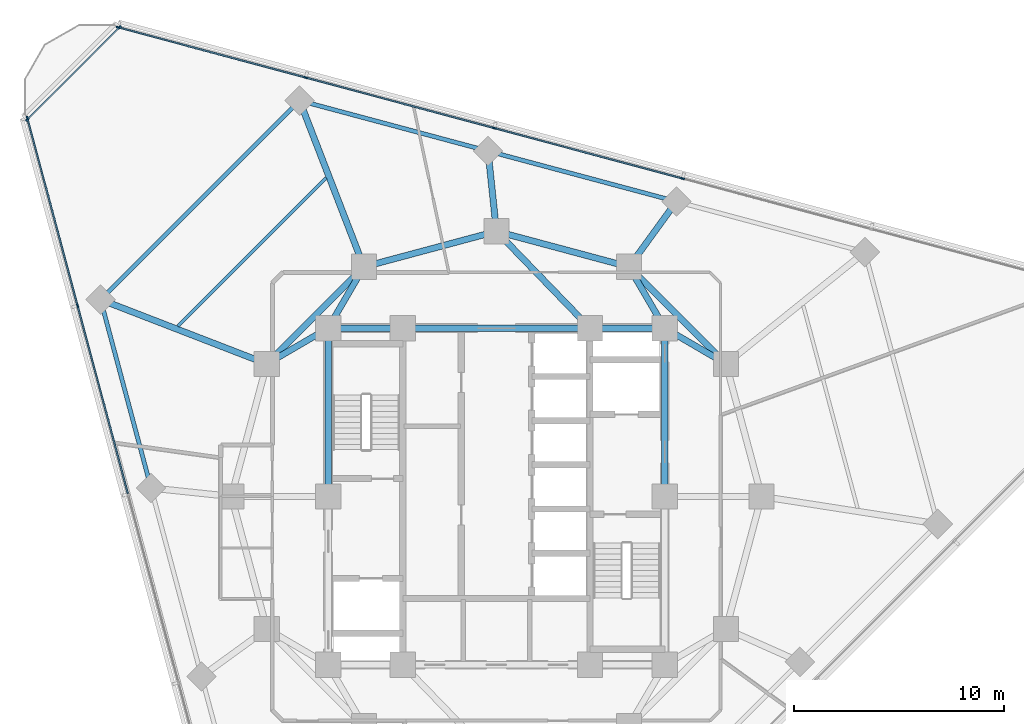
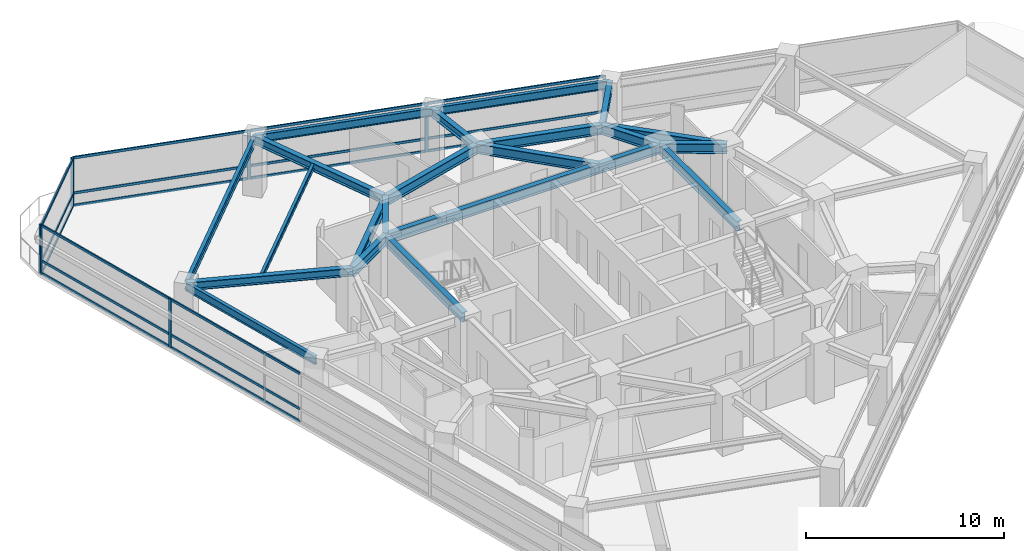
# One storey, part 4 of 13: 26 members, 23 beams, 3 elements without a shape of their own.
"""IFC4 building model written with IfcOpenShell, lengths in metres."""

from ifc_helpers import new_model, si_unit, direction, frame, origin, origin_2d, place, context, subcontext, project, spatial, rectangle, i_section, extrude, material, layer, layer_set, material_profile, profile_set, type_object, element, aggregate, save


model = new_model("IFC4")

# Units and contexts
model_context = context("Model", 3, precision=1e-05, world=origin(), true_north=direction((0.0, 1.0)))
body_context = subcontext(model_context, "Body", "Model", "MODEL_VIEW")
ifc_project = project(units=[si_unit("LENGTHUNIT", "METRE"), si_unit("AREAUNIT", "SQUARE_METRE"), si_unit("VOLUMEUNIT", "CUBIC_METRE"), si_unit("PLANEANGLEUNIT", "RADIAN"), si_unit("MASSUNIT", "GRAM", prefix="KILO")], contexts=[model_context])

# Site, building, storey
site_placement = place(None, origin())
site = spatial("IfcSite", under=ifc_project, at=site_placement, CompositionType="ELEMENT")
building_placement = place(site_placement, origin())
building = spatial("IfcBuilding", under=site, at=building_placement, Name="Terralouvre Media Tower", CompositionType="ELEMENT")
storey_placement = place(building_placement, frame((0.0, 0.0, 202.699951171875)))
storey = spatial("IfcBuildingStorey", under=building, at=storey_placement, Name="L52", CompositionType="ELEMENT", Elevation=202.699951171875)

# Beam
ifc_material_1 = material(Name="Structural steel S355J2", Category="steel")
ifc_material_profile_1 = material_profile(ifc_material_1, i_section(OverallWidth=0.159912109375, OverallDepth=0.330078125, WebThickness=0.007568359375, FlangeThickness=0.011474609375, at=origin_2d()), Name="IPE 330")
ifc_profile_set_1 = profile_set([ifc_material_profile_1], Name="Structural steel S355J2")
beam_type_1 = type_object("IfcBeamType", Name="Composite Floor Joist J-IPE330 (IPE 330)", PredefinedType="JOIST", material=ifc_profile_set_1)
beam_1_placement = place(storey_placement, frame((-8.095947265625, 15.14453125, 3.3349609375), z_axis=(-0.707106781187, -0.707106781187, 0.0), x_axis=(0.707106781187, -0.707106781187, 0.0)))
element("IfcBeam", 1, at=beam_1_placement, inside=storey, type_object=beam_type_1, Name="L52 Framing Beam JT-L52-05", PredefinedType="JOIST", context=body_context, shape_type="SweptSolid", body=[
    extrude(i_section(OverallWidth=0.159912109375, OverallDepth=0.330078125, WebThickness=0.007568359375, FlangeThickness=0.011474609375, at=origin_2d()), origin(), (0.0, 0.0, 1.0), 9.96826171875),
])

# Curtain wall, members
ifc_material_2 = material(Name="Low-iron laminated double glazing with solar-control coating", Category="glass")
ifc_layer_1 = layer(ifc_material_2, 0.1650390625, Name="Production Studio Tower Curtain Wall CW-03")
ifc_layer_set_1 = layer_set([ifc_layer_1], Name="Low-iron laminated double glazing with solar-control coating")
curtain_wall_type_1 = type_object("IfcCurtainWallType", Name="Production Studio Tower Curtain Wall CW-03", PredefinedType="NOTDEFINED", material=ifc_layer_set_1)
curtain_wall_1_placement = place(storey_placement, origin())
curtain_wall_1 = element("IfcCurtainWall", 2, at=curtain_wall_1_placement, inside=storey, type_object=curtain_wall_type_1, Name="L52 Facade Curtain Wall F1", PredefinedType="NOTDEFINED")
ifc_material_3 = material(Name="Anodised extruded aluminium 6063-T6", Category="aluminium")
ifc_material_profile_2 = material_profile(ifc_material_3, rectangle(XDim=0.074951171875, YDim=0.14990234375, at=origin_2d()), Name="ALU 75x150")
ifc_profile_set_2 = profile_set([ifc_material_profile_2], Name="Anodised extruded aluminium 6063-T6")
member_type_1 = type_object("IfcMemberType", Name="Curtain-Wall Horizontal Transom TR-150", PredefinedType="USERDEFINED", material=ifc_profile_set_2)
member_1_placement = place(storey_placement, frame((8.8115234375, 15.117431640625, 0.03759765625), z_axis=(-0.965926723605, 0.25881569625, 0.0), x_axis=(-0.25881569625, -0.965926723605, 0.0)))
member_1 = element("IfcMember", 3, at=member_1_placement, type_object=member_type_1, Name="CW-03 transom 3.1", ObjectType="TRANSOM", PredefinedType="USERDEFINED", context=body_context, shape_type="SweptSolid", body=[
    extrude(rectangle(XDim=0.074951171875, YDim=0.14990234375, at=origin_2d()), origin(), (0.0, 0.0, 1.0), 9.197265625),
])
member_2_placement = place(storey_placement, frame((8.8115234375, 15.117431640625, 0.800048828125), z_axis=(-0.965926723605, 0.25881569625, 0.0), x_axis=(-0.25881569625, -0.965926723605, 0.0)))
member_2 = element("IfcMember", 4, at=member_2_placement, type_object=member_type_1, Name="CW-03 transom 3.2", ObjectType="TRANSOM", PredefinedType="USERDEFINED", context=body_context, shape_type="SweptSolid", body=[
    extrude(rectangle(XDim=0.074951171875, YDim=0.14990234375, at=origin_2d()), origin(), (0.0, 0.0, 1.0), 9.197265625),
])
member_3_placement = place(storey_placement, frame((8.8115234375, 15.117431640625, 2.962646484375), z_axis=(-0.965926723605, 0.25881569625, 0.0), x_axis=(-0.25881569625, -0.965926723605, 0.0)))
member_3 = element("IfcMember", 5, at=member_3_placement, type_object=member_type_1, Name="CW-03 transom 3.3", ObjectType="TRANSOM", PredefinedType="USERDEFINED", context=body_context, shape_type="SweptSolid", body=[
    extrude(rectangle(XDim=0.074951171875, YDim=0.14990234375, at=origin_2d()), origin(), (0.0, 0.0, 1.0), 9.197265625),
])
member_4_placement = place(storey_placement, frame((-0.14453125, 17.517333984375, 0.03759765625), z_axis=(-0.965926723605, 0.25881569625, 0.0), x_axis=(-0.25881569625, -0.965926723605, 0.0)))
member_4 = element("IfcMember", 6, at=member_4_placement, type_object=member_type_1, Name="CW-03 transom 4.1", ObjectType="TRANSOM", PredefinedType="USERDEFINED", context=body_context, shape_type="SweptSolid", body=[
    extrude(rectangle(XDim=0.074951171875, YDim=0.14990234375, at=origin_2d()), origin(), (0.0, 0.0, 1.0), 9.197265625),
])
member_5_placement = place(storey_placement, frame((-0.14453125, 17.517333984375, 0.800048828125), z_axis=(-0.965926723605, 0.25881569625, 0.0), x_axis=(-0.25881569625, -0.965926723605, 0.0)))
member_5 = element("IfcMember", 7, at=member_5_placement, type_object=member_type_1, Name="CW-03 transom 4.2", ObjectType="TRANSOM", PredefinedType="USERDEFINED", context=body_context, shape_type="SweptSolid", body=[
    extrude(rectangle(XDim=0.074951171875, YDim=0.14990234375, at=origin_2d()), origin(), (0.0, 0.0, 1.0), 9.197265625),
])
member_6_placement = place(storey_placement, frame((-0.14453125, 17.517333984375, 2.962646484375), z_axis=(-0.965926723605, 0.25881569625, 0.0), x_axis=(-0.25881569625, -0.965926723605, 0.0)))
member_6 = element("IfcMember", 8, at=member_6_placement, type_object=member_type_1, Name="CW-03 transom 4.3", ObjectType="TRANSOM", PredefinedType="USERDEFINED", context=body_context, shape_type="SweptSolid", body=[
    extrude(rectangle(XDim=0.074951171875, YDim=0.14990234375, at=origin_2d()), origin(), (0.0, 0.0, 1.0), 9.197265625),
])
member_7_placement = place(storey_placement, frame((-9.1005859375, 19.9169921875, 0.03759765625), z_axis=(-0.965927230856, 0.25881380313, 0.0), x_axis=(-0.25881380313, -0.965927230856, 0.0)))
member_7 = element("IfcMember", 9, at=member_7_placement, type_object=member_type_1, Name="CW-03 transom 5.1", ObjectType="TRANSOM", PredefinedType="USERDEFINED", context=body_context, shape_type="SweptSolid", body=[
    extrude(rectangle(XDim=0.074951171875, YDim=0.14990234375, at=origin_2d()), origin(), (0.0, 0.0, 1.0), 9.159423828125),
])
member_8_placement = place(storey_placement, frame((-9.1005859375, 19.9169921875, 0.800048828125), z_axis=(-0.965927230856, 0.25881380313, 0.0), x_axis=(-0.25881380313, -0.965927230856, 0.0)))
member_8 = element("IfcMember", 10, at=member_8_placement, type_object=member_type_1, Name="CW-03 transom 5.2", ObjectType="TRANSOM", PredefinedType="USERDEFINED", context=body_context, shape_type="SweptSolid", body=[
    extrude(rectangle(XDim=0.074951171875, YDim=0.14990234375, at=origin_2d()), origin(), (0.0, 0.0, 1.0), 9.159423828125),
])
member_9_placement = place(storey_placement, frame((-9.1005859375, 19.9169921875, 2.962646484375), z_axis=(-0.965927230856, 0.25881380313, 0.0), x_axis=(-0.25881380313, -0.965927230856, 0.0)))
member_9 = element("IfcMember", 11, at=member_9_placement, type_object=member_type_1, Name="CW-03 transom 5.3", ObjectType="TRANSOM", PredefinedType="USERDEFINED", context=body_context, shape_type="SweptSolid", body=[
    extrude(rectangle(XDim=0.074951171875, YDim=0.14990234375, at=origin_2d()), origin(), (0.0, 0.0, 1.0), 9.159423828125),
])

curtain_wall_2_placement = place(storey_placement, origin())
curtain_wall_2 = element("IfcCurtainWall", 12, at=curtain_wall_2_placement, inside=storey, type_object=curtain_wall_type_1, Name="L52 Facade Curtain Wall F2", PredefinedType="NOTDEFINED")
member_10_placement = place(storey_placement, frame((-22.28759765625, 17.947998046875, 0.03759765625), z_axis=(0.25881380313, -0.965927230856, 0.0), x_axis=(0.965927230856, 0.25881380313, 0.0)))
member_10 = element("IfcMember", 13, at=member_10_placement, type_object=member_type_1, Name="CW-03 transom 1.1", ObjectType="TRANSOM", PredefinedType="USERDEFINED", context=body_context, shape_type="SweptSolid", body=[
    extrude(rectangle(XDim=0.074951171875, YDim=0.14990234375, at=origin_2d()), origin(), (0.0, 0.0, 1.0), 9.159423828125),
])
member_11_placement = place(storey_placement, frame((-22.28759765625, 17.947998046875, 0.800048828125), z_axis=(0.25881380313, -0.965927230856, 0.0), x_axis=(0.965927230856, 0.25881380313, 0.0)))
member_11 = element("IfcMember", 14, at=member_11_placement, type_object=member_type_1, Name="CW-03 transom 1.2", ObjectType="TRANSOM", PredefinedType="USERDEFINED", context=body_context, shape_type="SweptSolid", body=[
    extrude(rectangle(XDim=0.074951171875, YDim=0.14990234375, at=origin_2d()), origin(), (0.0, 0.0, 1.0), 9.159423828125),
])
member_12_placement = place(storey_placement, frame((-22.28759765625, 17.947998046875, 2.962646484375), z_axis=(0.25881380313, -0.965927230856, 0.0), x_axis=(0.965927230856, 0.25881380313, 0.0)))
member_12 = element("IfcMember", 15, at=member_12_placement, type_object=member_type_1, Name="CW-03 transom 1.3", ObjectType="TRANSOM", PredefinedType="USERDEFINED", context=body_context, shape_type="SweptSolid", body=[
    extrude(rectangle(XDim=0.074951171875, YDim=0.14990234375, at=origin_2d()), origin(), (0.0, 0.0, 1.0), 9.159423828125),
])
member_13_placement = place(storey_placement, frame((-19.897705078125, 9.0283203125, 0.03759765625), z_axis=(0.25881569625, -0.965926723605, 0.0), x_axis=(0.965926723605, 0.25881569625, 0.0)))
member_13 = element("IfcMember", 16, at=member_13_placement, type_object=member_type_1, Name="CW-03 transom 2.1", ObjectType="TRANSOM", PredefinedType="USERDEFINED", context=body_context, shape_type="SweptSolid", body=[
    extrude(rectangle(XDim=0.074951171875, YDim=0.14990234375, at=origin_2d()), origin(), (0.0, 0.0, 1.0), 9.197265625),
])
member_14_placement = place(storey_placement, frame((-19.897705078125, 9.0283203125, 0.800048828125), z_axis=(0.25881569625, -0.965926723605, 0.0), x_axis=(0.965926723605, 0.25881569625, 0.0)))
member_14 = element("IfcMember", 17, at=member_14_placement, type_object=member_type_1, Name="CW-03 transom 2.2", ObjectType="TRANSOM", PredefinedType="USERDEFINED", context=body_context, shape_type="SweptSolid", body=[
    extrude(rectangle(XDim=0.074951171875, YDim=0.14990234375, at=origin_2d()), origin(), (0.0, 0.0, 1.0), 9.197265625),
])
member_15_placement = place(storey_placement, frame((-19.897705078125, 9.0283203125, 2.962646484375), z_axis=(0.25881569625, -0.965926723605, 0.0), x_axis=(0.965926723605, 0.25881569625, 0.0)))
member_15 = element("IfcMember", 18, at=member_15_placement, type_object=member_type_1, Name="CW-03 transom 2.3", ObjectType="TRANSOM", PredefinedType="USERDEFINED", context=body_context, shape_type="SweptSolid", body=[
    extrude(rectangle(XDim=0.074951171875, YDim=0.14990234375, at=origin_2d()), origin(), (0.0, 0.0, 1.0), 9.197265625),
])

ifc_material_4 = material(Name="Low-iron laminated double glazing with solar-control coating", Category="glass")
ifc_layer_2 = layer(ifc_material_4, 0.1650390625, Name="Rounded Wind-Corner Curved Glazing CW-04")
ifc_layer_set_2 = layer_set([ifc_layer_2], Name="Low-iron laminated double glazing with solar-control coating")
curtain_wall_type_2 = type_object("IfcCurtainWallType", Name="Rounded Wind-Corner Curved Glazing CW-04", PredefinedType="NOTDEFINED", material=ifc_layer_set_2)
curtain_wall_3_placement = place(storey_placement, origin())
curtain_wall_3 = element("IfcCurtainWall", 19, at=curtain_wall_3_placement, inside=storey, type_object=curtain_wall_type_2, Name="L52 Rounded Wind-Corner Curtain Wall C2", PredefinedType="NOTDEFINED")
member_16_placement = place(storey_placement, frame((-17.943603515625, 22.27099609375, 0.03759765625), z_axis=(-0.707106781187, -0.707106781187, 0.0), x_axis=(0.707106781187, -0.707106781187, 0.0)))
member_16 = element("IfcMember", 20, at=member_16_placement, type_object=member_type_1, Name="CW-04 transom 1.1", ObjectType="TRANSOM", PredefinedType="USERDEFINED", context=body_context, shape_type="SweptSolid", body=[
    extrude(rectangle(XDim=0.074951171875, YDim=0.14990234375, at=origin_2d()), origin(), (0.0, 0.0, 1.0), 6.119873046875),
])
member_17_placement = place(storey_placement, frame((-17.943603515625, 22.27099609375, 0.800048828125), z_axis=(-0.707106781187, -0.707106781187, 0.0), x_axis=(0.707106781187, -0.707106781187, 0.0)))
member_17 = element("IfcMember", 21, at=member_17_placement, type_object=member_type_1, Name="CW-04 transom 1.2", ObjectType="TRANSOM", PredefinedType="USERDEFINED", context=body_context, shape_type="SweptSolid", body=[
    extrude(rectangle(XDim=0.074951171875, YDim=0.14990234375, at=origin_2d()), origin(), (0.0, 0.0, 1.0), 6.119873046875),
])
member_18_placement = place(storey_placement, frame((-17.943603515625, 22.27099609375, 2.962646484375), z_axis=(-0.707106781187, -0.707106781187, 0.0), x_axis=(0.707106781187, -0.707106781187, 0.0)))
member_18 = element("IfcMember", 22, at=member_18_placement, type_object=member_type_1, Name="CW-04 transom 1.3", ObjectType="TRANSOM", PredefinedType="USERDEFINED", context=body_context, shape_type="SweptSolid", body=[
    extrude(rectangle(XDim=0.074951171875, YDim=0.14990234375, at=origin_2d()), origin(), (0.0, 0.0, 1.0), 6.119873046875),
])

# Member
ifc_material_5 = material(Name="Anodised extruded aluminium 6063-T6", Category="aluminium")
ifc_material_profile_3 = material_profile(ifc_material_5, rectangle(XDim=0.074951171875, YDim=0.179931640625, at=origin_2d()), Name="ALU 75x180")
ifc_profile_set_3 = profile_set([ifc_material_profile_3], Name="Anodised extruded aluminium 6063-T6")
member_type_2 = type_object("IfcMemberType", Name="Curtain-Wall Vertical Mullion ML-180", PredefinedType="MULLION", material=ifc_profile_set_3)
member_19_placement = place(storey_placement, frame((8.84765625, 15.10791015625, 0.0), z_axis=(0.0, 0.0, 1.0), x_axis=(-0.25881903342, -0.96592582942, 0.0)))
member_19 = element("IfcMember", 23, at=member_19_placement, type_object=member_type_2, Name="CW-03 mullion 3", PredefinedType="MULLION", context=body_context, shape_type="SweptSolid", body=[
    extrude(rectangle(XDim=0.074951171875, YDim=0.179931640625, at=origin_2d()), origin(), (0.0, 0.0, 1.0), 3.0),
])

member_20_placement = place(storey_placement, frame((-0.1083984375, 17.507568359375, 0.0), z_axis=(0.0, 0.0, 1.0), x_axis=(-0.25881903342, -0.96592582942, 0.0)))
member_20 = element("IfcMember", 24, at=member_20_placement, type_object=member_type_2, Name="CW-03 mullion 4", PredefinedType="MULLION", context=body_context, shape_type="SweptSolid", body=[
    extrude(rectangle(XDim=0.074951171875, YDim=0.179931640625, at=origin_2d()), origin(), (0.0, 0.0, 1.0), 3.0),
])

member_21_placement = place(storey_placement, frame((-9.064453125, 19.907470703125, 0.0), z_axis=(0.0, 0.0, 1.0), x_axis=(-0.25881903342, -0.96592582942, 0.0)))
member_21 = element("IfcMember", 25, at=member_21_placement, type_object=member_type_2, Name="CW-03 mullion 5", PredefinedType="MULLION", context=body_context, shape_type="SweptSolid", body=[
    extrude(rectangle(XDim=0.074951171875, YDim=0.179931640625, at=origin_2d()), origin(), (0.0, 0.0, 1.0), 3.0),
])

member_22_placement = place(storey_placement, frame((-17.984375, 22.29736328125, 0.0), z_axis=(0.0, 0.0, 1.0), x_axis=(-0.25881903342, -0.96592582942, 0.0)))
member_22 = element("IfcMember", 26, at=member_22_placement, type_object=member_type_2, Name="CW-03 mullion 6", PredefinedType="MULLION", context=body_context, shape_type="SweptSolid", body=[
    extrude(rectangle(XDim=0.074951171875, YDim=0.179931640625, at=origin_2d()), origin(), (0.0, 0.0, 1.0), 3.0),
])

aggregate(curtain_wall_1, [member_19, member_20, member_21, member_22, member_1, member_2, member_3, member_4, member_5, member_6, member_7, member_8, member_9])

member_23_placement = place(storey_placement, frame((-22.29736328125, 17.984375, 0.0), z_axis=(0.0, 0.0, 1.0), x_axis=(0.96592582942, 0.25881903342, 0.0)))
member_23 = element("IfcMember", 27, at=member_23_placement, type_object=member_type_2, Name="CW-03 mullion 1", PredefinedType="MULLION", context=body_context, shape_type="SweptSolid", body=[
    extrude(rectangle(XDim=0.074951171875, YDim=0.179931640625, at=origin_2d()), origin(), (0.0, 0.0, 1.0), 3.0),
])

member_24_placement = place(storey_placement, frame((-19.907470703125, 9.064453125, 0.0), z_axis=(0.0, 0.0, 1.0), x_axis=(0.96592582942, 0.25881903342, 0.0)))
member_24 = element("IfcMember", 28, at=member_24_placement, type_object=member_type_2, Name="CW-03 mullion 2", PredefinedType="MULLION", context=body_context, shape_type="SweptSolid", body=[
    extrude(rectangle(XDim=0.074951171875, YDim=0.179931640625, at=origin_2d()), origin(), (0.0, 0.0, 1.0), 3.0),
])

aggregate(curtain_wall_2, [member_23, member_24, member_10, member_11, member_12, member_13, member_14, member_15])

member_25_placement = place(storey_placement, frame((-17.9169921875, 22.297607421875, 0.0), z_axis=(0.0, 0.0, 1.0), x_axis=(0.707106781187, -0.707106781187, 0.0)))
member_25 = element("IfcMember", 29, at=member_25_placement, type_object=member_type_2, Name="CW-04 mullion 1", PredefinedType="MULLION", context=body_context, shape_type="SweptSolid", body=[
    extrude(rectangle(XDim=0.074951171875, YDim=0.179931640625, at=origin_2d()), origin(), (0.0, 0.0, 1.0), 3.0),
])

member_26_placement = place(storey_placement, frame((-22.297607421875, 17.9169921875, 0.0), z_axis=(0.0, 0.0, 1.0), x_axis=(0.707106781187, -0.707106781187, 0.0)))
member_26 = element("IfcMember", 30, at=member_26_placement, type_object=member_type_2, Name="CW-04 mullion 2", PredefinedType="MULLION", context=body_context, shape_type="SweptSolid", body=[
    extrude(rectangle(XDim=0.074951171875, YDim=0.179931640625, at=origin_2d()), origin(), (0.0, 0.0, 1.0), 3.0),
])

aggregate(curtain_wall_3, [member_25, member_26, member_16, member_17, member_18])

# Beams
ifc_material_6 = material(Name="Structural steel S355J2", Category="steel")
ifc_material_profile_4 = material_profile(ifc_material_6, i_section(OverallWidth=0.199951171875, OverallDepth=0.5, WebThickness=0.01025390625, FlangeThickness=0.01611328125, at=origin_2d()), Name="IPE 500")
ifc_profile_set_4 = profile_set([ifc_material_profile_4], Name="Structural steel S355J2")
beam_type_2 = type_object("IfcBeamType", Name="Perimeter Spandrel Beam SPB-500 (IPE 500)", PredefinedType="SPANDREL", material=ifc_profile_set_4)
for number, where, z_axis, x_axis, name in (
    (31, (8.55517578125, 14.016357421875, 3.25), (-0.965928776458, 0.258808034669, 0.0), (-0.258808034669, -0.965928776458, 0.0), "L52 Framing Beam BM-L52-PR08"),
    (32, (-0.40087890625, 16.416015625, 3.25), (-0.965922193685, 0.258832601786, 0.0), (-0.258832601786, -0.965922193685, 0.0), "L52 Framing Beam BM-L52-PR09"),
):
    element("IfcBeam", number, at=place(storey_placement, frame(where, z_axis=z_axis, x_axis=x_axis)), inside=storey, type_object=beam_type_2, Name=name, PredefinedType="SPANDREL", context=body_context, shape_type="SweptSolid", body=[
        extrude(i_section(OverallWidth=0.199951171875, OverallDepth=0.5, WebThickness=0.01025390625, FlangeThickness=0.01611328125, at=origin_2d()), origin(), (0.0, 0.0, 1.0), 9.27197265625),
    ])
beam_2_placement = place(storey_placement, frame((-9.35693359375, 18.81591796875, 3.25), z_axis=(-0.707106781187, -0.707106781187, 0.0), x_axis=(0.707106781187, -0.707106781187, 0.0)))
element("IfcBeam", 33, at=beam_2_placement, inside=storey, type_object=beam_type_2, Name="L52 Framing Beam BM-L52-PR10", PredefinedType="SPANDREL", context=body_context, shape_type="SweptSolid", body=[
    extrude(i_section(OverallWidth=0.199951171875, OverallDepth=0.5, WebThickness=0.01025390625, FlangeThickness=0.01611328125, at=origin_2d()), origin(), (0.0, 0.0, 1.0), 13.376953125),
])
beam_3_placement = place(storey_placement, frame((-18.81591796875, 9.35693359375, 3.239990234375), z_axis=(0.258832601786, -0.965922193685, 0.0), x_axis=(0.965922193685, 0.258832601786, 0.0)))
element("IfcBeam", 34, at=beam_3_placement, inside=storey, type_object=beam_type_2, Name="L52 Framing Beam BM-L52-PR11", PredefinedType="SPANDREL", context=body_context, shape_type="SweptSolid", body=[
    extrude(i_section(OverallWidth=0.199951171875, OverallDepth=0.5, WebThickness=0.01025390625, FlangeThickness=0.01611328125, at=origin_2d()), origin(), (0.0, 0.0, 1.0), 9.27197265625),
])
ifc_material_7 = material(Name="Structural steel S355J2", Category="steel")
ifc_material_profile_5 = material_profile(ifc_material_7, i_section(OverallWidth=0.300048828125, OverallDepth=0.5, WebThickness=0.014404296875, FlangeThickness=0.028076171875, at=origin_2d()), Name="HEB 500")
ifc_profile_set_5 = profile_set([ifc_material_profile_5], Name="Structural steel S355J2")
beam_type_3 = type_object("IfcBeamType", Name="Primary Floor Girder B-HEB500 (HEB 500)", PredefinedType="BEAM", material=ifc_profile_set_5)
beam_4_placement = place(storey_placement, frame((6.300048828125, 10.911865234375, 3.25), z_axis=(0.587713839807, 0.809068873767, 0.0), x_axis=(-0.809068873767, 0.587713839807, 0.0)))
element("IfcBeam", 35, at=beam_4_placement, inside=storey, type_object=beam_type_3, Name="L52 Framing Beam BM-L52-RD08", PredefinedType="BEAM", context=body_context, shape_type="SweptSolid", body=[
    extrude(i_section(OverallWidth=0.300048828125, OverallDepth=0.5, WebThickness=0.014404296875, FlangeThickness=0.028076171875, at=origin_2d()), origin(), (0.0, 0.0, 1.0), 3.837158203125),
])
beam_5_placement = place(storey_placement, frame((0.0, 12.60009765625, 3.25), z_axis=(-0.104479425033, 0.994527048272, 0.0), x_axis=(-0.994527048272, -0.104479425033, 0.0)))
element("IfcBeam", 36, at=beam_5_placement, inside=storey, type_object=beam_type_3, Name="L52 Framing Beam BM-L52-RD09", PredefinedType="BEAM", context=body_context, shape_type="SweptSolid", body=[
    extrude(i_section(OverallWidth=0.300048828125, OverallDepth=0.5, WebThickness=0.014404296875, FlangeThickness=0.028076171875, at=origin_2d()), origin(), (0.0, 0.0, 1.0), 3.8369140625),
])
for number, where, z_axis, x_axis, name in (
    (37, (-6.300048828125, 10.911865234375, 3.25), (-0.360712022835, 0.932677241377, 0.0), (-0.932677241377, -0.360712022835, 0.0), "L52 Framing Beam BM-L52-RD10"),
    (38, (-10.911865234375, 6.300048828125, 3.25), (-0.932677241377, 0.360712022835, 0.0), (-0.360712022835, -0.932677241377, 0.0), "L52 Framing Beam BM-L52-RD11"),
):
    element("IfcBeam", number, at=place(storey_placement, frame(where, z_axis=z_axis, x_axis=x_axis)), inside=storey, type_object=beam_type_3, Name=name, PredefinedType="BEAM", context=body_context, shape_type="SweptSolid", body=[
        extrude(i_section(OverallWidth=0.300048828125, OverallDepth=0.5, WebThickness=0.014404296875, FlangeThickness=0.028076171875, at=origin_2d()), origin(), (0.0, 0.0, 1.0), 8.474609375),
    ])
ifc_material_8 = material(Name="Structural steel S460M", Category="steel")
ifc_material_profile_6 = material_profile(ifc_material_8, i_section(OverallWidth=0.300048828125, OverallDepth=0.60009765625, WebThickness=0.015380859375, FlangeThickness=0.030029296875, at=origin_2d()), Name="HEB 600")
ifc_profile_set_6 = profile_set([ifc_material_profile_6], Name="Structural steel S460M")
beam_type_4 = type_object("IfcBeamType", Name="Primary Floor Girder B-HEB600 (HEB 600)", PredefinedType="BEAM", material=ifc_profile_set_6)
beam_6_placement = place(storey_placement, frame((8.0, 0.0, 3.199951171875), z_axis=(0.0, 1.0, 0.0), x_axis=(-1.0, 0.0, 0.0)))
element("IfcBeam", 39, at=beam_6_placement, inside=storey, type_object=beam_type_4, Name="L52 Framing Beam BM-L52-CPR05", PredefinedType="BEAM", context=body_context, shape_type="SweptSolid", body=[
    extrude(i_section(OverallWidth=0.300048828125, OverallDepth=0.60009765625, WebThickness=0.015380859375, FlangeThickness=0.030029296875, at=origin_2d()), origin(), (0.0, 0.0, 1.0), 8.0),
])
beam_7_placement = place(storey_placement, frame((8.0, 8.0, 3.199951171875), z_axis=(-1.0, 0.0, 0.0), x_axis=(0.0, -1.0, 0.0)))
element("IfcBeam", 40, at=beam_7_placement, inside=storey, type_object=beam_type_4, Name="L52 Framing Beam BM-L52-CPR06", PredefinedType="BEAM", context=body_context, shape_type="SweptSolid", body=[
    extrude(i_section(OverallWidth=0.300048828125, OverallDepth=0.60009765625, WebThickness=0.015380859375, FlangeThickness=0.030029296875, at=origin_2d()), origin(), (0.0, 0.0, 1.0), 3.550048828125),
])
beam_8_placement = place(storey_placement, frame((4.449951171875, 8.0, 3.199951171875), z_axis=(-1.0, 0.0, 0.0), x_axis=(0.0, -1.0, 0.0)))
element("IfcBeam", 41, at=beam_8_placement, inside=storey, type_object=beam_type_4, Name="L52 Framing Beam BM-L52-CPR07", PredefinedType="BEAM", context=body_context, shape_type="SweptSolid", body=[
    extrude(i_section(OverallWidth=0.300048828125, OverallDepth=0.60009765625, WebThickness=0.015380859375, FlangeThickness=0.030029296875, at=origin_2d()), origin(), (0.0, 0.0, 1.0), 8.89990234375),
])
beam_9_placement = place(storey_placement, frame((-4.449951171875, 8.0, 3.199951171875), z_axis=(-1.0, 0.0, 0.0), x_axis=(0.0, -1.0, 0.0)))
element("IfcBeam", 42, at=beam_9_placement, inside=storey, type_object=beam_type_4, Name="L52 Framing Beam BM-L52-CPR08", PredefinedType="BEAM", context=body_context, shape_type="SweptSolid", body=[
    extrude(i_section(OverallWidth=0.300048828125, OverallDepth=0.60009765625, WebThickness=0.015380859375, FlangeThickness=0.030029296875, at=origin_2d()), origin(), (0.0, 0.0, 1.0), 3.550048828125),
])
beam_10_placement = place(storey_placement, frame((-8.0, 8.0, 3.199951171875), z_axis=(0.0, -1.0, 0.0), x_axis=(1.0, 0.0, 0.0)))
element("IfcBeam", 43, at=beam_10_placement, inside=storey, type_object=beam_type_4, Name="L52 Framing Beam BM-L52-CPR09", PredefinedType="BEAM", context=body_context, shape_type="SweptSolid", body=[
    extrude(i_section(OverallWidth=0.300048828125, OverallDepth=0.60009765625, WebThickness=0.015380859375, FlangeThickness=0.030029296875, at=origin_2d()), origin(), (0.0, 0.0, 1.0), 8.0),
])
beam_11_placement = place(storey_placement, frame((10.911865234375, 6.300048828125, 3.199951171875), z_axis=(-0.707106781187, 0.707106781187, 0.0), x_axis=(-0.707106781187, -0.707106781187, 0.0)))
element("IfcBeam", 44, at=beam_11_placement, inside=storey, type_object=beam_type_4, Name="L52 Framing Beam BM-L52-MR07", PredefinedType="BEAM", context=body_context, shape_type="SweptSolid", body=[
    extrude(i_section(OverallWidth=0.300048828125, OverallDepth=0.60009765625, WebThickness=0.015380859375, FlangeThickness=0.030029296875, at=origin_2d()), origin(), (0.0, 0.0, 1.0), 6.52197265625),
])
for number, where, z_axis, x_axis, name in (
    (45, (6.300048828125, 10.911865234375, 3.199951171875), (-0.965920481897, 0.258838989821, 0.0), (-0.258838989821, -0.965920481897, 0.0), "L52 Framing Beam BM-L52-MR08"),
    (46, (0.0, 12.60009765625, 3.199951171875), (-0.965920481897, -0.258838989821, 0.0), (0.258838989821, -0.965920481897, 0.0), "L52 Framing Beam BM-L52-MR09"),
):
    element("IfcBeam", number, at=place(storey_placement, frame(where, z_axis=z_axis, x_axis=x_axis)), inside=storey, type_object=beam_type_4, Name=name, PredefinedType="BEAM", context=body_context, shape_type="SweptSolid", body=[
        extrude(i_section(OverallWidth=0.300048828125, OverallDepth=0.60009765625, WebThickness=0.015380859375, FlangeThickness=0.030029296875, at=origin_2d()), origin(), (0.0, 0.0, 1.0), 6.522216796875),
    ])
beam_12_placement = place(storey_placement, frame((-6.300048828125, 10.911865234375, 3.199951171875), z_axis=(-0.707106781187, -0.707106781187, 0.0), x_axis=(0.707106781187, -0.707106781187, 0.0)))
element("IfcBeam", 47, at=beam_12_placement, inside=storey, type_object=beam_type_4, Name="L52 Framing Beam BM-L52-MR10", PredefinedType="BEAM", context=body_context, shape_type="SweptSolid", body=[
    extrude(i_section(OverallWidth=0.300048828125, OverallDepth=0.60009765625, WebThickness=0.015380859375, FlangeThickness=0.030029296875, at=origin_2d()), origin(), (0.0, 0.0, 1.0), 6.52197265625),
])
for number, where, z_axis, x_axis, name in (
    (48, (8.0, 8.0, 3.199951171875), (0.863602894532, -0.504172629717, 0.0), (0.504172629717, 0.863602894532, 0.0), "L52 Framing Beam BM-L52-CM07"),
    (49, (8.0, 8.0, 3.199951171875), (-0.504172629717, 0.863602894532, 0.0), (-0.863602894532, -0.504172629717, 0.0), "L52 Framing Beam BM-L52-CM08"),
):
    element("IfcBeam", number, at=place(storey_placement, frame(where, z_axis=z_axis, x_axis=x_axis)), inside=storey, type_object=beam_type_4, Name=name, PredefinedType="BEAM", context=body_context, shape_type="SweptSolid", body=[
        extrude(i_section(OverallWidth=0.300048828125, OverallDepth=0.60009765625, WebThickness=0.015380859375, FlangeThickness=0.030029296875, at=origin_2d()), origin(), (0.0, 0.0, 1.0), 3.371826171875),
    ])
beam_13_placement = place(storey_placement, frame((4.449951171875, 8.0, 3.199951171875), z_axis=(-0.695279715726, 0.718739255155, 0.0), x_axis=(-0.718739255155, -0.695279715726, 0.0)))
element("IfcBeam", 50, at=beam_13_placement, inside=storey, type_object=beam_type_4, Name="L52 Framing Beam BM-L52-CM09", PredefinedType="BEAM", context=body_context, shape_type="SweptSolid", body=[
    extrude(i_section(OverallWidth=0.300048828125, OverallDepth=0.60009765625, WebThickness=0.015380859375, FlangeThickness=0.030029296875, at=origin_2d()), origin(), (0.0, 0.0, 1.0), 6.400146484375),
])
for number, where, z_axis, x_axis, name in (
    (51, (-8.0, 8.0, 3.199951171875), (0.504172629717, 0.863602894532, 0.0), (-0.863602894532, 0.504172629717, 0.0), "L52 Framing Beam BM-L52-CM10"),
    (52, (-8.0, 8.0, 3.199951171875), (-0.863602894532, -0.504172629717, 0.0), (0.504172629717, -0.863602894532, 0.0), "L52 Framing Beam BM-L52-CM11"),
):
    element("IfcBeam", number, at=place(storey_placement, frame(where, z_axis=z_axis, x_axis=x_axis)), inside=storey, type_object=beam_type_4, Name=name, PredefinedType="BEAM", context=body_context, shape_type="SweptSolid", body=[
        extrude(i_section(OverallWidth=0.300048828125, OverallDepth=0.60009765625, WebThickness=0.015380859375, FlangeThickness=0.030029296875, at=origin_2d()), origin(), (0.0, 0.0, 1.0), 3.371826171875),
    ])

save(model, "model.ifc")
